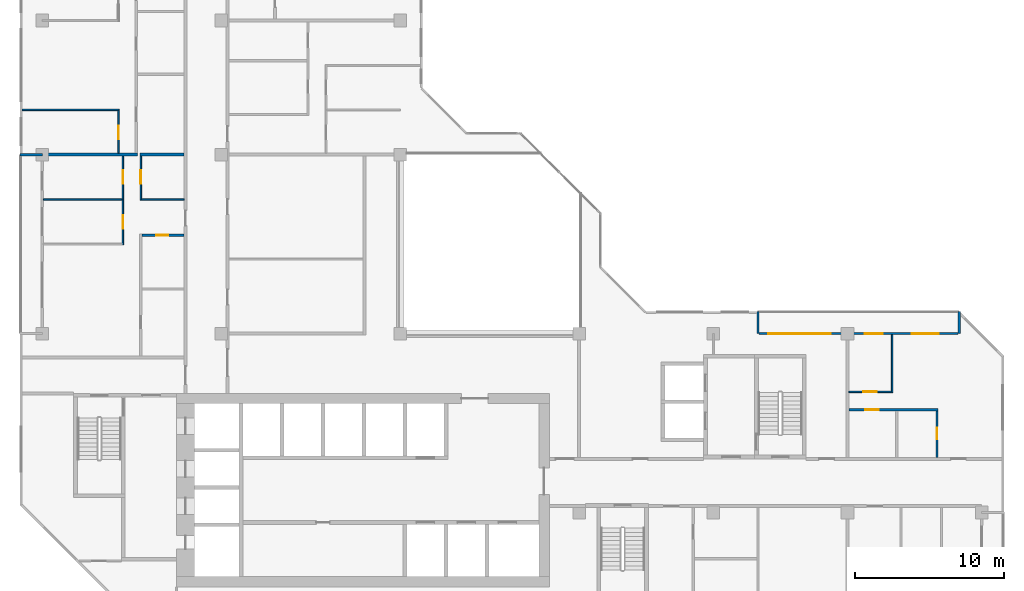
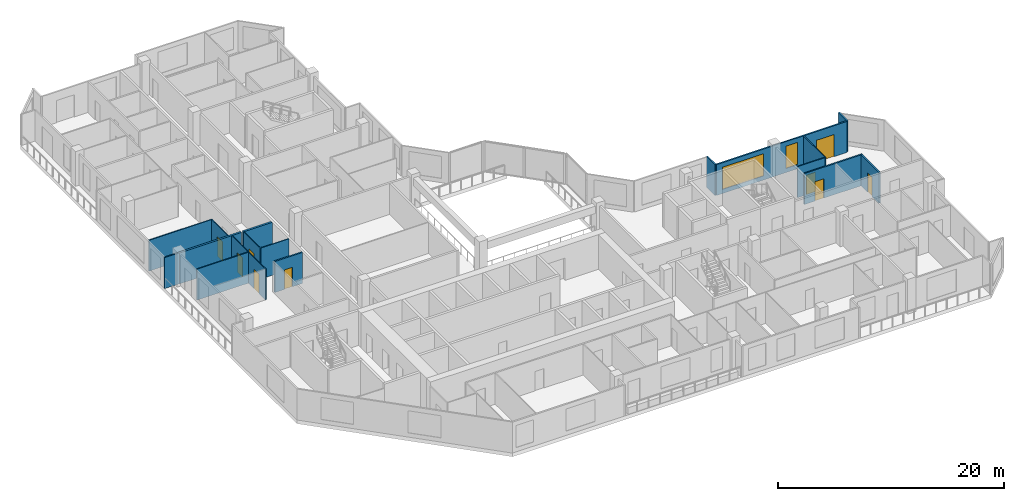
# One storey, part 8 of 14: 17 walls, 9 doors, 2 windows, 11 openings.
"""IFC4 building model written with IfcOpenShell, lengths in metres."""

from ifc_helpers import new_model, si_unit, direction, frame, frame_2d, origin, place, context, subcontext, project, spatial, rectangle, extrude, material, layer, layer_set, type_object, element, fill, save


model = new_model("IFC4")

# Units and contexts
model_context = context("Model", 3, precision=1e-05, world=origin(), true_north=direction((0.0, 1.0)))
body_context = subcontext(model_context, "Body", "Model", "MODEL_VIEW")
ifc_project = project(units=[si_unit("LENGTHUNIT", "METRE"), si_unit("AREAUNIT", "SQUARE_METRE"), si_unit("VOLUMEUNIT", "CUBIC_METRE"), si_unit("PLANEANGLEUNIT", "RADIAN"), si_unit("MASSUNIT", "GRAM", prefix="KILO")], contexts=[model_context])

# Site, building, storey
site_placement = place(None, origin())
site = spatial("IfcSite", under=ifc_project, at=site_placement, CompositionType="ELEMENT")
building_placement = place(site_placement, origin())
building = spatial("IfcBuilding", under=site, at=building_placement, Name="Chenar Terraces", CompositionType="ELEMENT")
storey_placement = place(building_placement, frame((0.0, 0.0, 241.64990234375)))
storey = spatial("IfcBuildingStorey", under=building, at=storey_placement, Name="L57", CompositionType="ELEMENT", Elevation=241.64990234375)

# Wall, openings, windows, door
ifc_material_1 = material(Name="Aluminium framed glazing", Category="aluminium")
ifc_layer_1 = layer(ifc_material_1, 0.14990234375)
ifc_layer_set_1 = layer_set([ifc_layer_1], Name="Aluminium framed glazing")
wall_type_1 = type_object("IfcWallType", Name="Glazed loggia back wall 150", PredefinedType="SOLIDWALL", material=ifc_layer_set_1)
wall_1_placement = place(storey_placement, frame((61.425048828125, 24.0, 0.0), z_axis=(0.0, 0.0, 1.0), x_axis=(-1.0, 0.0, 0.0)))
wall_1 = element("IfcWall", 1, at=wall_1_placement, inside=storey, type_object=wall_type_1, Name="Glazed loggia back wall", PredefinedType="SOLIDWALL", context=body_context, shape_type="SweptSolid", body=[
    extrude(rectangle(XDim=13.35009765625, YDim=0.14990234375, at=frame_2d((6.675048828125, 0.0))), origin(), (0.0, 0.0, 1.0), 3.35009765625),
])
opening_1_placement = place(wall_1_placement, frame((1.3125, 0.0, 0.0)))
opening_1 = element("IfcOpeningElement", 2, at=opening_1_placement, cuts=wall_1, Name="Opening DL57-G1", PredefinedType="OPENING", context=body_context, shape_type="SweptSolid", body=[
    extrude(rectangle(XDim=1.800048828125, YDim=2.39990234375, at=frame_2d((0.89990234375, 1.199951171875))), frame((0.0, 0.0849609375, 0.0), z_axis=(0.0, -1.0, 0.0), x_axis=(1.0, 0.0, 0.0)), (0.0, 0.0, 1.0), 0.169921875),
])
opening_2_placement = place(wall_1_placement, frame((5.0625, 0.0, 0.449951171875)))
opening_2 = element("IfcOpeningElement", 3, at=opening_2_placement, cuts=wall_1, Name="Opening W120x240", PredefinedType="OPENING", context=body_context, shape_type="SweptSolid", body=[
    extrude(rectangle(XDim=1.199951171875, YDim=2.39990234375, at=frame_2d((0.60009765625, 1.199951171875))), frame((0.0, 0.0849609375, 0.0), z_axis=(0.0, -1.0, 0.0), x_axis=(1.0, 0.0, 0.0)), (0.0, 0.0, 1.0), 0.169921875),
])
opening_3_placement = place(wall_1_placement, frame((8.550048828125, 0.0, 0.449951171875)))
opening_3 = element("IfcOpeningElement", 4, at=opening_3_placement, cuts=wall_1, Name="Opening W420x240", PredefinedType="OPENING", context=body_context, shape_type="SweptSolid", body=[
    extrude(rectangle(XDim=4.199951171875, YDim=2.39990234375, at=frame_2d((2.10009765625, 1.199951171875))), frame((0.0, 0.0849609375, 0.0), z_axis=(0.0, -1.0, 0.0), x_axis=(1.0, 0.0, 0.0)), (0.0, 0.0, 1.0), 0.169921875),
])
ifc_material_2 = material(Name="Low emissivity double glazing, aluminium frame", Category="aluminium")
window_type_1 = type_object("IfcWindowType", Name="Fixed light 1200 x 2400", PartitioningType="SINGLE_PANEL", PredefinedType="WINDOW", material=ifc_material_2)
window_1_placement = place(opening_2_placement, origin())
window_1 = element("IfcWindow", 5, at=window_1_placement, inside=storey, type_object=window_type_1, Name="Window", OverallHeight=2.39990234375, OverallWidth=1.199951171875, PartitioningType="SINGLE_PANEL", PredefinedType="WINDOW", context=body_context, shape_type="SweptSolid", body=[
    extrude(rectangle(XDim=1.199951171875, YDim=2.39990234375, at=frame_2d((0.60009765625, 1.199951171875))), frame((0.0, 0.030029296875, 0.0), z_axis=(0.0, -1.0, 0.0), x_axis=(1.0, 0.0, 0.0)), (0.0, 0.0, 1.0), 0.06005859375),
])
fill(opening_2, window_1)
ifc_material_3 = material(Name="Low emissivity double glazing, aluminium frame", Category="aluminium")
window_type_2 = type_object("IfcWindowType", Name="Fixed light 4200 x 2400", PartitioningType="SINGLE_PANEL", PredefinedType="WINDOW", material=ifc_material_3)
window_2_placement = place(opening_3_placement, origin())
window_2 = element("IfcWindow", 6, at=window_2_placement, inside=storey, type_object=window_type_2, Name="Window", OverallHeight=2.39990234375, OverallWidth=4.199951171875, PartitioningType="SINGLE_PANEL", PredefinedType="WINDOW", context=body_context, shape_type="SweptSolid", body=[
    extrude(rectangle(XDim=4.199951171875, YDim=2.39990234375, at=frame_2d((2.10009765625, 1.199951171875))), frame((0.0, 0.030029296875, 0.0), z_axis=(0.0, -1.0, 0.0), x_axis=(1.0, 0.0, 0.0)), (0.0, 0.0, 1.0), 0.06005859375),
])
fill(opening_3, window_2)
ifc_material_4 = material(Name="Low emissivity double glazing, aluminium frame", Category="aluminium")
door_type_1 = type_object("IfcDoorType", Name="Loggia glazed double door 1800 x 2400", OperationType="DOUBLE_DOOR_SINGLE_SWING", PredefinedType="DOOR", material=ifc_material_4)
door_1_placement = place(opening_1_placement, frame((1.800048828125, 0.0, 0.0), z_axis=(0.0, 0.0, 1.0), x_axis=(-1.0, 0.0, 0.0)))
door_1 = element("IfcDoor", 7, at=door_1_placement, inside=storey, type_object=door_type_1, Name="Loggia glazed door", OperationType="DOUBLE_DOOR_SINGLE_SWING", OverallHeight=2.39990234375, OverallWidth=1.800048828125, PredefinedType="DOOR", context=body_context, shape_type="SweptSolid", body=[
    extrude(rectangle(XDim=1.800048828125, YDim=2.39990234375, at=frame_2d((0.89990234375, 1.199951171875))), frame((0.0, 0.02490234375, 0.0), z_axis=(0.0, -1.0, 0.0), x_axis=(1.0, 0.0, 0.0)), (0.0, 0.0, 1.0), 0.050048828125),
])
fill(opening_1, door_1)

# Walls
ifc_material_5 = material(Name="Gypsum board on steel studs", Category="steel")
ifc_layer_2 = layer(ifc_material_5, 0.10009765625)
ifc_layer_set_2 = layer_set([ifc_layer_2], Name="Gypsum board on steel studs")
wall_type_2 = type_object("IfcWallType", Name="Gypsum partition 100", PredefinedType="PARTITIONING", material=ifc_layer_set_2)
wall_2_placement = place(storey_placement, frame((-1.35009765625, 39.0, 0.0), z_axis=(0.0, 0.0, 1.0), x_axis=(1.0, 0.0, 0.0)))
element("IfcWall", 8, at=wall_2_placement, inside=storey, type_object=wall_type_2, Name="Partition L57-004", PredefinedType="PARTITIONING", context=body_context, shape_type="SweptSolid", body=[
    extrude(rectangle(XDim=6.5, YDim=0.10009765625, at=frame_2d((3.25, 0.0))), origin(), (0.0, 0.0, 1.0), 3.35009765625),
])
wall_3_placement = place(storey_placement, frame((0.073974609375, 33.0, 0.0), z_axis=(0.0, 0.0, 1.0), x_axis=(1.0, 0.0, 0.0)))
element("IfcWall", 9, at=wall_3_placement, inside=storey, type_object=wall_type_2, Name="Partition L57-008", PredefinedType="PARTITIONING", context=body_context, shape_type="SweptSolid", body=[
    extrude(rectangle(XDim=5.276123046875, YDim=0.10009765625, at=frame_2d((2.63818359375, 0.0))), origin(), (0.0, 0.0, 1.0), 3.35009765625),
])

# Wall, opening, door
wall_4_placement = place(storey_placement, frame((5.10009765625, 36.10009765625, 0.0), z_axis=(0.0, 0.0, 1.0), x_axis=(0.0, 1.0, 0.0)))
wall_4 = element("IfcWall", 10, at=wall_4_placement, inside=storey, type_object=wall_type_2, Name="Partition L57-013", PredefinedType="PARTITIONING", context=body_context, shape_type="SweptSolid", body=[
    extrude(rectangle(XDim=2.849853515625, YDim=0.10009765625, at=frame_2d((1.4248046875, 0.0))), origin(), (0.0, 0.0, 1.0), 3.35009765625),
])
opening_4_placement = place(wall_4_placement, frame((0.949951171875, 0.0, 0.0)))
opening_4 = element("IfcOpeningElement", 11, at=opening_4_placement, cuts=wall_4, Name="Opening DL57-24", PredefinedType="OPENING", context=body_context, shape_type="SweptSolid", body=[
    extrude(rectangle(XDim=0.89990234375, YDim=2.10009765625, at=frame_2d((0.449951171875, 1.050048828125))), frame((0.0, 0.06005859375, 0.0), z_axis=(0.0, -1.0, 0.0), x_axis=(1.0, 0.0, 0.0)), (0.0, 0.0, 1.0), 0.1201171875),
])
ifc_material_6 = material(Name="Veneered timber door leaf", Category="wood")
door_type_2 = type_object("IfcDoorType", Name="Door 900 x 2100", OperationType="SINGLE_SWING_LEFT", PredefinedType="DOOR", material=ifc_material_6)
door_2_placement = place(opening_4_placement, origin())
door_2 = element("IfcDoor", 12, at=door_2_placement, inside=storey, type_object=door_type_2, Name="Door DL57-24", OperationType="SINGLE_SWING_RIGHT", OverallHeight=2.10009765625, OverallWidth=0.89990234375, PredefinedType="DOOR", context=body_context, shape_type="SweptSolid", body=[
    extrude(rectangle(XDim=0.89990234375, YDim=2.10009765625, at=frame_2d((0.449951171875, 1.050048828125))), frame((0.0, 0.02490234375, 0.0), z_axis=(0.0, -1.0, 0.0), x_axis=(1.0, 0.0, 0.0)), (0.0, 0.0, 1.0), 0.050048828125),
])
fill(opening_4, door_2)

# Wall, openings, doors
wall_5_placement = place(storey_placement, frame((5.39990234375, 29.949951171875, 0.0), z_axis=(0.0, 0.0, 1.0), x_axis=(0.0, 1.0, 0.0)))
wall_5 = element("IfcWall", 13, at=wall_5_placement, inside=storey, type_object=wall_type_2, Name="Partition L57-016", PredefinedType="PARTITIONING", context=body_context, shape_type="SweptSolid", body=[
    extrude(rectangle(XDim=5.949951171875, YDim=0.10009765625, at=frame_2d((2.97509765625, 0.0))), origin(), (0.0, 0.0, 1.0), 3.35009765625),
])
opening_5_placement = place(wall_5_placement, frame((1.10009765625, 0.0, 0.0)))
opening_5 = element("IfcOpeningElement", 14, at=opening_5_placement, cuts=wall_5, Name="Opening DL57-59", PredefinedType="OPENING", context=body_context, shape_type="SweptSolid", body=[
    extrude(rectangle(XDim=0.89990234375, YDim=2.10009765625, at=frame_2d((0.449951171875, 1.050048828125))), frame((0.0, 0.06005859375, 0.0), z_axis=(0.0, -1.0, 0.0), x_axis=(1.0, 0.0, 0.0)), (0.0, 0.0, 1.0), 0.1201171875),
])
opening_6_placement = place(wall_5_placement, frame((4.10009765625, 0.0, 0.0)))
opening_6 = element("IfcOpeningElement", 15, at=opening_6_placement, cuts=wall_5, Name="Opening DL57-60", PredefinedType="OPENING", context=body_context, shape_type="SweptSolid", body=[
    extrude(rectangle(XDim=0.89990234375, YDim=2.10009765625, at=frame_2d((0.449951171875, 1.050048828125))), frame((0.0, 0.06005859375, 0.0), z_axis=(0.0, -1.0, 0.0), x_axis=(1.0, 0.0, 0.0)), (0.0, 0.0, 1.0), 0.1201171875),
])
door_3_placement = place(opening_5_placement, origin())
door_3 = element("IfcDoor", 16, at=door_3_placement, inside=storey, type_object=door_type_2, Name="Door DL57-59", OperationType="SINGLE_SWING_LEFT", OverallHeight=2.10009765625, OverallWidth=0.89990234375, PredefinedType="DOOR", context=body_context, shape_type="SweptSolid", body=[
    extrude(rectangle(XDim=0.89990234375, YDim=2.10009765625, at=frame_2d((0.449951171875, 1.050048828125))), frame((0.0, 0.02490234375, 0.0), z_axis=(0.0, -1.0, 0.0), x_axis=(1.0, 0.0, 0.0)), (0.0, 0.0, 1.0), 0.050048828125),
])
fill(opening_5, door_3)
door_4_placement = place(opening_6_placement, origin())
door_4 = element("IfcDoor", 17, at=door_4_placement, inside=storey, type_object=door_type_2, Name="Door DL57-60", OperationType="SINGLE_SWING_RIGHT", OverallHeight=2.10009765625, OverallWidth=0.89990234375, PredefinedType="DOOR", context=body_context, shape_type="SweptSolid", body=[
    extrude(rectangle(XDim=0.89990234375, YDim=2.10009765625, at=frame_2d((0.449951171875, 1.050048828125))), frame((0.0, 0.02490234375, 0.0), z_axis=(0.0, -1.0, 0.0), x_axis=(1.0, 0.0, 0.0)), (0.0, 0.0, 1.0), 0.050048828125),
])
fill(opening_6, door_4)

# Wall, opening, door
wall_6_placement = place(storey_placement, frame((6.60009765625, 32.949951171875, 0.0), z_axis=(0.0, 0.0, 1.0), x_axis=(0.0, 1.0, 0.0)))
wall_6 = element("IfcWall", 18, at=wall_6_placement, inside=storey, type_object=wall_type_2, Name="Partition L57-027", PredefinedType="PARTITIONING", context=body_context, shape_type="SweptSolid", body=[
    extrude(rectangle(XDim=2.949951171875, YDim=0.10009765625, at=frame_2d((1.47509765625, 0.0))), origin(), (0.0, 0.0, 1.0), 3.35009765625),
])
opening_7_placement = place(wall_6_placement, frame((1.10009765625, 0.0, 0.0)))
opening_7 = element("IfcOpeningElement", 19, at=opening_7_placement, cuts=wall_6, Name="Opening DL57-61", PredefinedType="OPENING", context=body_context, shape_type="SweptSolid", body=[
    extrude(rectangle(XDim=0.89990234375, YDim=2.10009765625, at=frame_2d((0.449951171875, 1.050048828125))), frame((0.0, 0.06005859375, 0.0), z_axis=(0.0, -1.0, 0.0), x_axis=(1.0, 0.0, 0.0)), (0.0, 0.0, 1.0), 0.1201171875),
])
door_5_placement = place(opening_7_placement, frame((0.89990234375, 0.0, 0.0), z_axis=(0.0, 0.0, 1.0), x_axis=(-1.0, 0.0, 0.0)))
door_5 = element("IfcDoor", 20, at=door_5_placement, inside=storey, type_object=door_type_2, Name="Door DL57-61", OperationType="SINGLE_SWING_LEFT", OverallHeight=2.10009765625, OverallWidth=0.89990234375, PredefinedType="DOOR", context=body_context, shape_type="SweptSolid", body=[
    extrude(rectangle(XDim=0.89990234375, YDim=2.10009765625, at=frame_2d((0.449951171875, 1.050048828125))), frame((0.0, 0.02490234375, 0.0), z_axis=(0.0, -1.0, 0.0), x_axis=(1.0, 0.0, 0.0)), (0.0, 0.0, 1.0), 0.050048828125),
])
fill(opening_7, door_5)

# Wall
wall_7_placement = place(storey_placement, frame((6.64990234375, 33.0, 0.0), z_axis=(0.0, 0.0, 1.0), x_axis=(1.0, 0.0, 0.0)))
element("IfcWall", 21, at=wall_7_placement, inside=storey, type_object=wall_type_2, Name="Partition L57-028", PredefinedType="PARTITIONING", context=body_context, shape_type="SweptSolid", body=[
    extrude(rectangle(XDim=2.85009765625, YDim=0.10009765625, at=frame_2d((1.425048828125, 0.0))), origin(), (0.0, 0.0, 1.0), 3.35009765625),
])

# Wall, opening, door
wall_8_placement = place(storey_placement, frame((54.10009765625, 20.10009765625, 0.0), z_axis=(0.0, 0.0, 1.0), x_axis=(1.0, 0.0, 0.0)))
wall_8 = element("IfcWall", 22, at=wall_8_placement, inside=storey, type_object=wall_type_2, Name="Partition L57-084", PredefinedType="PARTITIONING", context=body_context, shape_type="SweptSolid", body=[
    extrude(rectangle(XDim=2.849853515625, YDim=0.10009765625, at=frame_2d((1.4248046875, 0.0))), origin(), (0.0, 0.0, 1.0), 3.35009765625),
])
opening_8_placement = place(wall_8_placement, frame((0.949951171875, 0.0, 0.0)))
opening_8 = element("IfcOpeningElement", 23, at=opening_8_placement, cuts=wall_8, Name="Opening DL57-5", PredefinedType="OPENING", context=body_context, shape_type="SweptSolid", body=[
    extrude(rectangle(XDim=0.89990234375, YDim=2.10009765625, at=frame_2d((0.449951171875, 1.050048828125))), frame((0.0, 0.06005859375, 0.0), z_axis=(0.0, -1.0, 0.0), x_axis=(1.0, 0.0, 0.0)), (0.0, 0.0, 1.0), 0.1201171875),
])
door_6_placement = place(opening_8_placement, origin())
door_6 = element("IfcDoor", 24, at=door_6_placement, inside=storey, type_object=door_type_2, Name="Door DL57-5", OperationType="SINGLE_SWING_RIGHT", OverallHeight=2.10009765625, OverallWidth=0.89990234375, PredefinedType="DOOR", context=body_context, shape_type="SweptSolid", body=[
    extrude(rectangle(XDim=0.89990234375, YDim=2.10009765625, at=frame_2d((0.449951171875, 1.050048828125))), frame((0.0, 0.02490234375, 0.0), z_axis=(0.0, -1.0, 0.0), x_axis=(1.0, 0.0, 0.0)), (0.0, 0.0, 1.0), 0.050048828125),
])
fill(opening_8, door_6)

# Walls
wall_9_placement = place(storey_placement, frame((57.0, 20.050048828125, 0.0), z_axis=(0.0, 0.0, 1.0), x_axis=(0.0, 1.0, 0.0)))
element("IfcWall", 25, at=wall_9_placement, inside=storey, type_object=wall_type_2, Name="Partition L57-086", PredefinedType="PARTITIONING", context=body_context, shape_type="SweptSolid", body=[
    extrude(rectangle(XDim=3.8759765625, YDim=0.10009765625, at=frame_2d((1.93798828125, 0.0))), origin(), (0.0, 0.0, 1.0), 3.35009765625),
])
ifc_material_7 = material(Name="Terracotta cladding on insulated backing", Category="masonry")
ifc_layer_3 = layer(ifc_material_7, 0.14990234375)
ifc_layer_set_3 = layer_set([ifc_layer_3], Name="Terracotta cladding on insulated backing")
wall_type_3 = type_object("IfcWallType", Name="Loggia return wall 150", PredefinedType="SOLIDWALL", material=ifc_layer_set_3)
for number, where, z_axis, x_axis, name in (
    (26, (61.5, 25.5, 0.0), (0.0, 0.0, 1.0), (0.0, -1.0, 0.0), "Loggia return wall"),
    (27, (48.0, 25.5, 0.0), (0.0, 0.0, 1.0), (0.0, -1.0, 0.0), "Loggia return wall"),
    (28, (-1.5, 36.0, 0.0), (0.0, 0.0, 1.0), (1.0, 0.0, 0.0), "Loggia return wall"),
):
    element("IfcWall", number, at=place(storey_placement, frame(where, z_axis=z_axis, x_axis=x_axis)), inside=storey, type_object=wall_type_3, Name=name, PredefinedType="SOLIDWALL", context=body_context, shape_type="SweptSolid", body=[
        extrude(rectangle(XDim=1.5, YDim=0.14990234375, at=frame_2d((0.75, 0.0))), origin(), (0.0, 0.0, 1.0), 3.35009765625),
    ])
ifc_material_8 = material(Name="Twin gypsum board on steel studs with mineral wool", Category="steel")
ifc_layer_4 = layer(ifc_material_8, 0.199951171875)
ifc_layer_set_4 = layer_set([ifc_layer_4], Name="Twin gypsum board on steel studs with mineral wool")
wall_type_4 = type_object("IfcWallType", Name="Unit demising wall 200", PredefinedType="PARTITIONING", material=ifc_layer_set_4)
wall_10_placement = place(storey_placement, frame((0.0, 36.0, 0.0), z_axis=(0.0, 0.0, 1.0), x_axis=(1.0, 0.0, 0.0)))
element("IfcWall", 29, at=wall_10_placement, inside=storey, type_object=wall_type_4, Name="Partition L57-003", PredefinedType="PARTITIONING", context=body_context, shape_type="SweptSolid", body=[
    extrude(rectangle(XDim=6.375, YDim=0.199951171875, at=frame_2d((3.1875, 0.0))), origin(), (0.0, 0.0, 1.0), 3.35009765625),
])
wall_11_placement = place(storey_placement, frame((6.550048828125, 36.0, 0.0), z_axis=(0.0, 0.0, 1.0), x_axis=(1.0, 0.0, 0.0)))
element("IfcWall", 30, at=wall_11_placement, inside=storey, type_object=wall_type_4, Name="Partition L57-025", PredefinedType="PARTITIONING", context=body_context, shape_type="SweptSolid", body=[
    extrude(rectangle(XDim=2.949951171875, YDim=0.199951171875, at=frame_2d((1.47509765625, 0.0))), origin(), (0.0, 0.0, 1.0), 3.35009765625),
])

# Wall, opening, door
ifc_material_9 = material(Name="Moisture-resistant gypsum board on steel studs", Category="steel")
ifc_layer_5 = layer(ifc_material_9, 0.14990234375)
ifc_layer_set_5 = layer_set([ifc_layer_5], Name="Moisture-resistant gypsum board on steel studs")
wall_type_5 = type_object("IfcWallType", Name="Wet-room partition 150", PredefinedType="PARTITIONING", material=ifc_layer_set_5)
wall_12_placement = place(storey_placement, frame((6.675048828125, 30.60009765625, 0.0), z_axis=(0.0, 0.0, 1.0), x_axis=(1.0, 0.0, 0.0)))
wall_12 = element("IfcWall", 31, at=wall_12_placement, inside=storey, type_object=wall_type_5, Name="Partition L57-030", PredefinedType="PARTITIONING", context=body_context, shape_type="SweptSolid", body=[
    extrude(rectangle(XDim=2.824951171875, YDim=0.14990234375, at=frame_2d((1.41259765625, 0.0))), origin(), (0.0, 0.0, 1.0), 3.35009765625),
])
opening_9_placement = place(wall_12_placement, frame((0.97509765625, 0.0, 0.0)))
opening_9 = element("IfcOpeningElement", 32, at=opening_9_placement, cuts=wall_12, Name="Opening DL57-58", PredefinedType="OPENING", context=body_context, shape_type="SweptSolid", body=[
    extrude(rectangle(XDim=0.800048828125, YDim=2.10009765625, at=frame_2d((0.39990234375, 1.050048828125))), frame((0.0, 0.0849609375, 0.0), z_axis=(0.0, -1.0, 0.0), x_axis=(1.0, 0.0, 0.0)), (0.0, 0.0, 1.0), 0.169921875),
])
ifc_material_10 = material(Name="Veneered timber door leaf", Category="wood")
door_type_3 = type_object("IfcDoorType", Name="Door 800 x 2100", OperationType="SINGLE_SWING_LEFT", PredefinedType="DOOR", material=ifc_material_10)
door_7_placement = place(opening_9_placement, frame((0.800048828125, 0.0, 0.0), z_axis=(0.0, 0.0, 1.0), x_axis=(-1.0, 0.0, 0.0)))
door_7 = element("IfcDoor", 33, at=door_7_placement, inside=storey, type_object=door_type_3, Name="Door DL57-58", OperationType="SINGLE_SWING_RIGHT", OverallHeight=2.10009765625, OverallWidth=0.800048828125, PredefinedType="DOOR", context=body_context, shape_type="SweptSolid", body=[
    extrude(rectangle(XDim=0.800048828125, YDim=2.10009765625, at=frame_2d((0.39990234375, 1.050048828125))), frame((0.0, 0.02490234375, 0.0), z_axis=(0.0, -1.0, 0.0), x_axis=(1.0, 0.0, 0.0)), (0.0, 0.0, 1.0), 0.050048828125),
])
fill(opening_9, door_7)

wall_13_placement = place(storey_placement, frame((54.10009765625, 18.89990234375, 0.0), z_axis=(0.0, 0.0, 1.0), x_axis=(1.0, 0.0, 0.0)))
wall_13 = element("IfcWall", 34, at=wall_13_placement, inside=storey, type_object=wall_type_5, Name="Partition L57-083", PredefinedType="PARTITIONING", context=body_context, shape_type="SweptSolid", body=[
    extrude(rectangle(XDim=5.974853515625, YDim=0.14990234375, at=frame_2d((2.9873046875, 0.0))), origin(), (0.0, 0.0, 1.0), 3.35009765625),
])
opening_10_placement = place(wall_13_placement, frame((1.10009765625, 0.0, 0.0)))
opening_10 = element("IfcOpeningElement", 35, at=opening_10_placement, cuts=wall_13, Name="Opening DL57-6", PredefinedType="OPENING", context=body_context, shape_type="SweptSolid", body=[
    extrude(rectangle(XDim=0.89990234375, YDim=2.10009765625, at=frame_2d((0.449951171875, 1.050048828125))), frame((0.0, 0.0849609375, 0.0), z_axis=(0.0, -1.0, 0.0), x_axis=(1.0, 0.0, 0.0)), (0.0, 0.0, 1.0), 0.169921875),
])
door_8_placement = place(opening_10_placement, frame((0.89990234375, 0.0, 0.0), z_axis=(0.0, 0.0, 1.0), x_axis=(-1.0, 0.0, 0.0)))
door_8 = element("IfcDoor", 36, at=door_8_placement, inside=storey, type_object=door_type_2, Name="Door DL57-6", OperationType="SINGLE_SWING_RIGHT", OverallHeight=2.10009765625, OverallWidth=0.89990234375, PredefinedType="DOOR", context=body_context, shape_type="SweptSolid", body=[
    extrude(rectangle(XDim=0.89990234375, YDim=2.10009765625, at=frame_2d((0.449951171875, 1.050048828125))), frame((0.0, 0.02490234375, 0.0), z_axis=(0.0, -1.0, 0.0), x_axis=(1.0, 0.0, 0.0)), (0.0, 0.0, 1.0), 0.050048828125),
])
fill(opening_10, door_8)

wall_14_placement = place(storey_placement, frame((60.0, 15.699951171875, 0.0), z_axis=(0.0, 0.0, 1.0), x_axis=(0.0, 1.0, 0.0)))
wall_14 = element("IfcWall", 37, at=wall_14_placement, inside=storey, type_object=wall_type_5, Name="Partition L57-091", PredefinedType="PARTITIONING", context=body_context, shape_type="SweptSolid", body=[
    extrude(rectangle(XDim=3.125, YDim=0.14990234375, at=frame_2d((1.5625, 0.0))), origin(), (0.0, 0.0, 1.0), 3.35009765625),
])
opening_11_placement = place(wall_14_placement, frame((1.199951171875, 0.0, 0.0)))
opening_11 = element("IfcOpeningElement", 38, at=opening_11_placement, cuts=wall_14, Name="Opening DL57-4", PredefinedType="OPENING", context=body_context, shape_type="SweptSolid", body=[
    extrude(rectangle(XDim=0.800048828125, YDim=2.10009765625, at=frame_2d((0.39990234375, 1.050048828125))), frame((0.0, 0.0849609375, 0.0), z_axis=(0.0, -1.0, 0.0), x_axis=(1.0, 0.0, 0.0)), (0.0, 0.0, 1.0), 0.169921875),
])
door_9_placement = place(opening_11_placement, origin())
door_9 = element("IfcDoor", 39, at=door_9_placement, inside=storey, type_object=door_type_3, Name="Door DL57-4", OperationType="SINGLE_SWING_RIGHT", OverallHeight=2.10009765625, OverallWidth=0.800048828125, PredefinedType="DOOR", context=body_context, shape_type="SweptSolid", body=[
    extrude(rectangle(XDim=0.800048828125, YDim=2.10009765625, at=frame_2d((0.39990234375, 1.050048828125))), frame((0.0, 0.02490234375, 0.0), z_axis=(0.0, -1.0, 0.0), x_axis=(1.0, 0.0, 0.0)), (0.0, 0.0, 1.0), 0.050048828125),
])
fill(opening_11, door_9)

save(model, "model.ifc")
